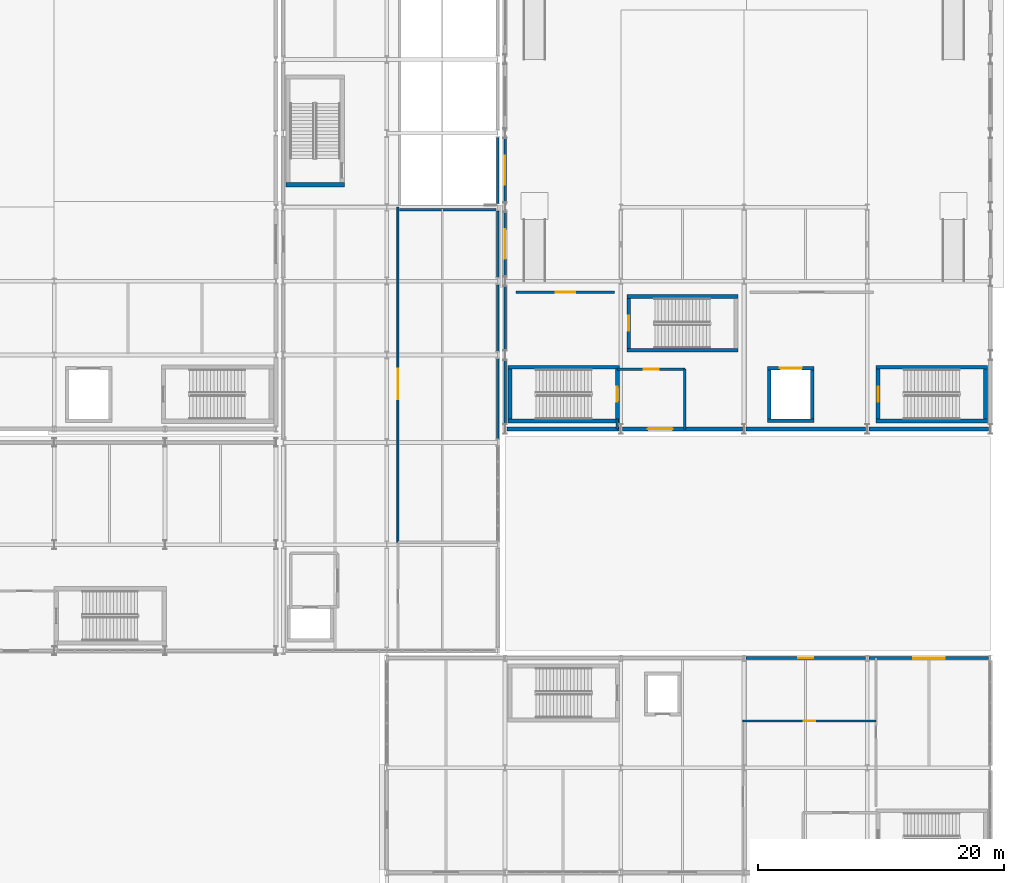
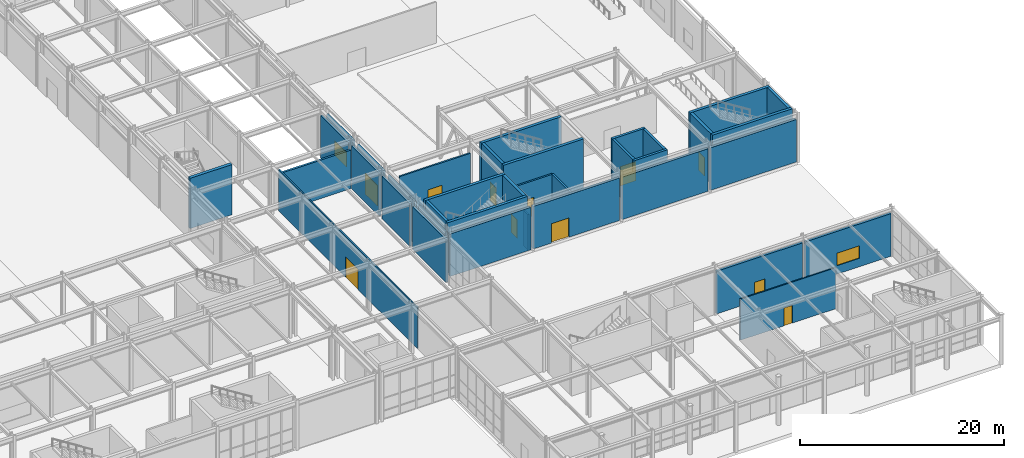
# One storey, part 125 of 146: 37 walls, 11 doors, 2 windows, 13 openings.
"""IFC4 building model written with IfcOpenShell, lengths in metres."""

from ifc_helpers import new_model, si_unit, direction, frame, frame_2d, origin, place, context, subcontext, project, spatial, rectangle, extrude, material, layer, layer_set, type_object, element, fill, save


model = new_model("IFC4")

# Units and contexts
model_context = context("Model", 3, precision=1e-05, world=origin(), true_north=direction((0.0, 1.0)))
body_context = subcontext(model_context, "Body", "Model", "MODEL_VIEW")
ifc_project = project(units=[si_unit("LENGTHUNIT", "METRE"), si_unit("AREAUNIT", "SQUARE_METRE"), si_unit("VOLUMEUNIT", "CUBIC_METRE"), si_unit("PLANEANGLEUNIT", "RADIAN"), si_unit("MASSUNIT", "GRAM", prefix="KILO")], contexts=[model_context])

# Site, building, storey
site_placement = place(None, origin())
site = spatial("IfcSite", under=ifc_project, at=site_placement, CompositionType="ELEMENT")
building_placement = place(site_placement, origin())
building = spatial("IfcBuilding", under=site, at=building_placement, Name="Kaldris Quays Convention Centre", CompositionType="ELEMENT")
storey_placement = place(building_placement, origin())
storey = spatial("IfcBuildingStorey", under=building, at=storey_placement, Name="L00", CompositionType="ELEMENT", Elevation=0.0)

# Wall
ifc_material_1 = material(Name="Concrete C35/45", Category="concrete")
ifc_layer_1 = layer(ifc_material_1, 0.31201171875)
ifc_layer_set_1 = layer_set([ifc_layer_1], Name="Concrete C35/45")
wall_type_1 = type_object("IfcWallType", Name="EXTERIOR WALL EW02", PredefinedType="STANDARD", material=ifc_layer_set_1)
wall_1_placement = place(storey_placement, frame((164.74609375, 56.0, 0.0), z_axis=(0.0, 0.0, 1.0), x_axis=(1.0, 0.0, 0.0)))
element("IfcWall", 1, at=wall_1_placement, inside=storey, type_object=wall_type_1, Name="L00 Exterior Wall EW02 92", PredefinedType="STANDARD", context=body_context, shape_type="SweptSolid", body=[
    extrude(rectangle(XDim=9.10791015625, YDim=0.31201171875, at=frame_2d((4.553955078125, 0.0))), origin(), (0.0, 0.0, 1.0), 5.077880859375),
])

# Wall, opening, door
wall_2_placement = place(storey_placement, frame((174.14599609375, 56.0, 0.0), z_axis=(0.0, 0.0, 1.0), x_axis=(1.0, 0.0, 0.0)))
wall_2 = element("IfcWall", 2, at=wall_2_placement, inside=storey, type_object=wall_type_1, Name="L00 Exterior Wall EW02 94", PredefinedType="STANDARD", context=body_context, shape_type="SweptSolid", body=[
    extrude(rectangle(XDim=9.7080078125, YDim=0.31201171875, at=frame_2d((4.85400390625, 0.0))), origin(), (0.0, 0.0, 1.0), 5.077880859375),
])
opening_1_placement = place(wall_2_placement, frame((2.052001953125, 0.0, 0.0)))
opening_1 = element("IfcOpeningElement", 3, at=opening_1_placement, cuts=wall_2, Name="Opening ED01", PredefinedType="OPENING", context=body_context, shape_type="SweptSolid", body=[
    extrude(rectangle(XDim=2.0, YDim=2.300048828125, at=frame_2d((1.0, 1.14990234375))), frame((0.0, 0.166015625, 0.0), z_axis=(0.0, -1.0, 0.0), x_axis=(1.0, 0.0, 0.0)), (0.0, 0.0, 1.0), 0.33203125),
])
ifc_material_2 = material(Name="Thermally broken anodized aluminium and laminated safety glass", Category="aluminium")
door_type_1 = type_object("IfcDoorType", Name="EXTERIOR DOOR ED01", OperationType="DOUBLE_DOOR_SINGLE_SWING", PredefinedType="DOOR", material=ifc_material_2)
door_1_placement = place(opening_1_placement, frame((2.0, 0.0, 0.0), z_axis=(0.0, 0.0, 1.0), x_axis=(-1.0, 0.0, 0.0)))
door_1 = element("IfcDoor", 4, at=door_1_placement, inside=storey, type_object=door_type_1, Name="L00 Stair ST08 Final Exterior Exit Door ED01", OperationType="DOUBLE_DOOR_SINGLE_SWING", OverallHeight=2.300048828125, OverallWidth=2.0, PredefinedType="DOOR", context=body_context, shape_type="SweptSolid", body=[
    extrude(rectangle(XDim=2.0, YDim=2.300048828125, at=frame_2d((1.0, 1.14990234375))), frame((0.0, 0.02490234375, 0.0), z_axis=(0.0, -1.0, 0.0), x_axis=(1.0, 0.0, 0.0)), (0.0, 0.0, 1.0), 0.050048828125),
])
fill(opening_1, door_1)

# Walls
for number, where, z_axis, x_axis, name in (
    (5, (184.14599609375, 56.0, 0.0), (0.0, 0.0, 1.0), (1.0, 0.0, 0.0), "L00 Exterior Wall EW02 96"),
    (6, (194.14599609375, 56.0, 0.0), (0.0, 0.0, 1.0), (1.0, 0.0, 0.0), "L00 Exterior Wall EW02 98"),
):
    element("IfcWall", number, at=place(storey_placement, frame(where, z_axis=z_axis, x_axis=x_axis)), inside=storey, type_object=wall_type_1, Name=name, PredefinedType="STANDARD", context=body_context, shape_type="SweptSolid", body=[
        extrude(rectangle(XDim=9.7080078125, YDim=0.31201171875, at=frame_2d((4.85400390625, 0.0))), origin(), (0.0, 0.0, 1.0), 5.077880859375),
    ])

# Wall, opening, door
ifc_material_3 = material(Name="Basalt stone ashlar cladding", Category="masonry")
ifc_layer_2 = layer(ifc_material_3, 0.241943359375)
ifc_layer_set_2 = layer_set([ifc_layer_2], Name="Basalt stone ashlar cladding")
wall_type_2 = type_object("IfcWallType", Name="EXTERIOR WALL EW05", PredefinedType="STANDARD", material=ifc_layer_set_2)
wall_3_placement = place(storey_placement, frame((184.14599609375, 37.39990234375, 0.0), z_axis=(0.0, 0.0, 1.0), x_axis=(1.0, 0.0, 0.0)))
wall_3 = element("IfcWall", 7, at=wall_3_placement, inside=storey, type_object=wall_type_2, Name="L00 Exterior Wall EW05 366", PredefinedType="STANDARD", context=body_context, shape_type="SweptSolid", body=[
    extrude(rectangle(XDim=9.7080078125, YDim=0.241943359375, at=frame_2d((4.85400390625, 0.0))), origin(), (0.0, 0.0, 1.0), 5.10009765625),
])
opening_2_placement = place(wall_3_placement, frame((4.243896484375, 0.0, 0.0)))
opening_2 = element("IfcOpeningElement", 8, at=opening_2_placement, cuts=wall_3, Name="Opening ED06", PredefinedType="OPENING", context=body_context, shape_type="SweptSolid", body=[
    extrude(rectangle(XDim=1.219970703125, YDim=2.280029296875, at=frame_2d((0.60986328125, 1.14013671875))), frame((0.0, 0.130859375, 0.0), z_axis=(0.0, -1.0, 0.0), x_axis=(1.0, 0.0, 0.0)), (0.0, 0.0, 1.0), 0.261962890625),
])
door_type_2 = type_object("IfcDoorType", Name="EXTERIOR DOOR ED06", OperationType="NOTDEFINED", PredefinedType="DOOR", material=ifc_material_2)
door_2_placement = place(opening_2_placement, origin())
door_2 = element("IfcDoor", 9, at=door_2_placement, inside=storey, type_object=door_type_2, Name="L00 Exterior Exit Door ED06 39", OperationType="SINGLE_SWING_RIGHT", OverallHeight=2.280029296875, OverallWidth=1.219970703125, PredefinedType="DOOR", context=body_context, shape_type="SweptSolid", body=[
    extrude(rectangle(XDim=1.219970703125, YDim=2.280029296875, at=frame_2d((0.60986328125, 1.14013671875))), frame((0.0, 0.02490234375, 0.0), z_axis=(0.0, -1.0, 0.0), x_axis=(1.0, 0.0, 0.0)), (0.0, 0.0, 1.0), 0.050048828125),
])
fill(opening_2, door_2)

# Wall, opening, window
wall_4_placement = place(storey_placement, frame((194.14599609375, 37.39990234375, 0.0), z_axis=(0.0, 0.0, 1.0), x_axis=(1.0, 0.0, 0.0)))
wall_4 = element("IfcWall", 10, at=wall_4_placement, inside=storey, type_object=wall_type_2, Name="L00 Exterior Wall EW05 367", PredefinedType="STANDARD", context=body_context, shape_type="SweptSolid", body=[
    extrude(rectangle(XDim=9.7080078125, YDim=0.241943359375, at=frame_2d((4.85400390625, 0.0))), origin(), (0.0, 0.0, 1.0), 5.10009765625),
])
opening_3_placement = place(wall_4_placement, frame((3.5791015625, 0.0, 1.0)))
opening_3 = element("IfcOpeningElement", 11, at=opening_3_placement, cuts=wall_4, Name="Opening WN19", PredefinedType="OPENING", context=body_context, shape_type="SweptSolid", body=[
    extrude(rectangle(XDim=2.550048828125, YDim=1.5, at=frame_2d((1.27490234375, 0.75))), frame((0.0, 0.130859375, 0.0), z_axis=(0.0, -1.0, 0.0), x_axis=(1.0, 0.0, 0.0)), (0.0, 0.0, 1.0), 0.261962890625),
])
ifc_material_4 = material(Name="Triple low-E insulated glazing", Category="glass")
window_type_1 = type_object("IfcWindowType", Name="TRIPLE GLAZED WINDOW WN19", PartitioningType="SINGLE_PANEL", PredefinedType="WINDOW", material=ifc_material_4)
window_1_placement = place(opening_3_placement, origin())
window_1 = element("IfcWindow", 12, at=window_1_placement, inside=storey, type_object=window_type_1, Name="L00 Exterior Window WN19 96", OverallHeight=1.5, OverallWidth=2.550048828125, PartitioningType="SINGLE_PANEL", PredefinedType="WINDOW", context=body_context, shape_type="SweptSolid", body=[
    extrude(rectangle(XDim=2.550048828125, YDim=1.5, at=frame_2d((1.27490234375, 0.75))), frame((0.0, 0.030029296875, 0.0), z_axis=(0.0, -1.0, 0.0), x_axis=(1.0, 0.0, 0.0)), (0.0, 0.0, 1.0), 0.06005859375),
])
fill(opening_3, window_1)

# Walls
ifc_material_5 = material(Name="Anodized aluminium insulated cassette", Category="aluminium")
ifc_layer_3 = layer(ifc_material_5, 0.221923828125)
ifc_layer_set_3 = layer_set([ifc_layer_3], Name="Anodized aluminium insulated cassette")
wall_type_3 = type_object("IfcWallType", Name="EXTERIOR WALL EW06", PredefinedType="STANDARD", material=ifc_layer_set_3)
wall_5_placement = place(storey_placement, frame((164.0, 55.196044921875, 0.0), z_axis=(0.0, 0.0, 1.0), x_axis=(0.0, 1.0, 0.0)))
element("IfcWall", 13, at=wall_5_placement, inside=storey, type_object=wall_type_3, Name="L00 Exterior Wall EW06 269", PredefinedType="STANDARD", context=body_context, shape_type="SweptSolid", body=[
    extrude(rectangle(XDim=6.508056640625, YDim=0.221923828125, at=frame_2d((3.25390625, 0.0))), origin(), (0.0, 0.0, 1.0), 5.097900390625),
])
for number, where, z_axis, x_axis, name in (
    (14, (164.0, 62.2958984375, 0.0), (0.0, 0.0, 1.0), (0.0, 1.0, 0.0), "L00 Exterior Wall EW06 271"),
    (15, (164.0, 68.2958984375, 0.0), (0.0, 0.0, 1.0), (0.0, 1.0, 0.0), "L00 Exterior Wall EW06 273"),
    (16, (164.0, 74.2958984375, 0.0), (0.0, 0.0, 1.0), (0.0, 1.0, 0.0), "L00 Exterior Wall EW06 275"),
):
    element("IfcWall", number, at=place(storey_placement, frame(where, z_axis=z_axis, x_axis=x_axis)), inside=storey, type_object=wall_type_3, Name=name, PredefinedType="STANDARD", context=body_context, shape_type="SweptSolid", body=[
        extrude(rectangle(XDim=5.408203125, YDim=0.221923828125, at=frame_2d((2.7041015625, 0.0))), origin(), (0.0, 0.0, 1.0), 5.097900390625),
    ])
ifc_layer_4 = layer(ifc_material_5, 0.201904296875)
ifc_layer_set_4 = layer_set([ifc_layer_4], Name="Anodized aluminium insulated cassette")
wall_type_4 = type_object("IfcWallType", Name="EXTERIOR WALL EW07", PredefinedType="STANDARD", material=ifc_layer_set_4)
for number, where, z_axis, x_axis, name in (
    (17, (164.60009765625, 56.39599609375, 0.0), (0.0, 0.0, 1.0), (0.0, 1.0, 0.0), "L00 Exterior Wall EW07 101"),
    (18, (164.60009765625, 62.39599609375, 0.0), (0.0, 0.0, 1.0), (0.0, 1.0, 0.0), "L00 Exterior Wall EW07 103"),
):
    element("IfcWall", number, at=place(storey_placement, frame(where, z_axis=z_axis, x_axis=x_axis)), inside=storey, type_object=wall_type_4, Name=name, PredefinedType="STANDARD", context=body_context, shape_type="SweptSolid", body=[
        extrude(rectangle(XDim=5.2080078125, YDim=0.201904296875, at=frame_2d((2.60400390625, 0.0))), origin(), (0.0, 0.0, 1.0), 5.10009765625),
    ])

# Wall, opening, door
wall_6_placement = place(storey_placement, frame((164.60009765625, 68.39599609375, 0.0), z_axis=(0.0, 0.0, 1.0), x_axis=(0.0, 1.0, 0.0)))
wall_6 = element("IfcWall", 19, at=wall_6_placement, inside=storey, type_object=wall_type_4, Name="L00 Exterior Wall EW07 105", PredefinedType="STANDARD", context=body_context, shape_type="SweptSolid", body=[
    extrude(rectangle(XDim=5.2080078125, YDim=0.201904296875, at=frame_2d((2.60400390625, 0.0))), origin(), (0.0, 0.0, 1.0), 5.10009765625),
])
opening_4_placement = place(wall_6_placement, frame((1.404052734375, 0.0, 0.0)))
opening_4 = element("IfcOpeningElement", 20, at=opening_4_placement, cuts=wall_6, Name="Opening ED03", PredefinedType="OPENING", context=body_context, shape_type="SweptSolid", body=[
    extrude(rectangle(XDim=2.39990234375, YDim=2.5, at=frame_2d((1.199951171875, 1.25))), frame((0.0, 0.11083984375, 0.0), z_axis=(0.0, -1.0, 0.0), x_axis=(1.0, 0.0, 0.0)), (0.0, 0.0, 1.0), 0.221923828125),
])
door_type_3 = type_object("IfcDoorType", Name="EXTERIOR DOOR ED03", OperationType="DOUBLE_DOOR_SINGLE_SWING", PredefinedType="DOOR", material=ifc_material_2)
door_3_placement = place(opening_4_placement, origin())
door_3 = element("IfcDoor", 21, at=door_3_placement, inside=storey, type_object=door_type_3, Name="L00 Exterior Exit Door ED03 26", OperationType="DOUBLE_DOOR_SINGLE_SWING", OverallHeight=2.5, OverallWidth=2.39990234375, PredefinedType="DOOR", context=body_context, shape_type="SweptSolid", body=[
    extrude(rectangle(XDim=2.39990234375, YDim=2.5, at=frame_2d((1.199951171875, 1.25))), frame((0.0, 0.02490234375, 0.0), z_axis=(0.0, -1.0, 0.0), x_axis=(1.0, 0.0, 0.0)), (0.0, 0.0, 1.0), 0.050048828125),
])
fill(opening_4, door_3)

# Wall, opening, window
wall_7_placement = place(storey_placement, frame((164.60009765625, 74.39599609375, 0.0), z_axis=(0.0, 0.0, 1.0), x_axis=(0.0, 1.0, 0.0)))
wall_7 = element("IfcWall", 22, at=wall_7_placement, inside=storey, type_object=wall_type_4, Name="L00 Exterior Wall EW07 107", PredefinedType="STANDARD", context=body_context, shape_type="SweptSolid", body=[
    extrude(rectangle(XDim=5.2080078125, YDim=0.201904296875, at=frame_2d((2.60400390625, 0.0))), origin(), (0.0, 0.0, 1.0), 5.10009765625),
])
opening_5_placement = place(wall_7_placement, frame((1.428955078125, 0.0, 1.0)))
opening_5 = element("IfcOpeningElement", 23, at=opening_5_placement, cuts=wall_7, Name="Opening WN31", PredefinedType="OPENING", context=body_context, shape_type="SweptSolid", body=[
    extrude(rectangle(XDim=2.35009765625, YDim=1.75, at=frame_2d((1.175048828125, 0.875))), frame((0.0, 0.11083984375, 0.0), z_axis=(0.0, -1.0, 0.0), x_axis=(1.0, 0.0, 0.0)), (0.0, 0.0, 1.0), 0.221923828125),
])
window_type_2 = type_object("IfcWindowType", Name="TRIPLE GLAZED WINDOW WN31", PartitioningType="SINGLE_PANEL", PredefinedType="WINDOW", material=ifc_material_4)
window_2_placement = place(opening_5_placement, origin())
window_2 = element("IfcWindow", 24, at=window_2_placement, inside=storey, type_object=window_type_2, Name="L00 Exterior Window WN31 29", OverallHeight=1.75, OverallWidth=2.35009765625, PartitioningType="SINGLE_PANEL", PredefinedType="WINDOW", context=body_context, shape_type="SweptSolid", body=[
    extrude(rectangle(XDim=2.35009765625, YDim=1.75, at=frame_2d((1.175048828125, 0.875))), frame((0.0, 0.030029296875, 0.0), z_axis=(0.0, -1.0, 0.0), x_axis=(1.0, 0.0, 0.0)), (0.0, 0.0, 1.0), 0.06005859375),
])
fill(opening_5, window_2)

# Wall, opening, door
ifc_layer_5 = layer(ifc_material_1, 0.199951171875)
ifc_layer_set_5 = layer_set([ifc_layer_5], Name="Concrete C35/45")
wall_type_5 = type_object("IfcWallType", Name="INTERIOR WALL IW01", PredefinedType="PARTITIONING", material=ifc_layer_set_5)
wall_8_placement = place(storey_placement, frame((173.7099609375, 60.85009765625, 0.0), z_axis=(0.0, 0.0, 1.0), x_axis=(1.0, 0.0, 0.0)))
wall_8 = element("IfcWall", 25, at=wall_8_placement, inside=storey, type_object=wall_type_5, Name="L00 Protected Exit Lobby ST08 Fire Wall", PredefinedType="PARTITIONING", context=body_context, shape_type="SweptSolid", body=[
    extrude(rectangle(XDim=5.489990234375, YDim=0.199951171875, at=frame_2d((2.7451171875, 0.0))), origin(), (0.0, 0.0, 1.0), 4.199951171875),
])
opening_6_placement = place(wall_8_placement, frame((2.14501953125, 0.0, 0.0)))
opening_6 = element("IfcOpeningElement", 26, at=opening_6_placement, cuts=wall_8, Name="Opening ID03", PredefinedType="OPENING", context=body_context, shape_type="SweptSolid", body=[
    extrude(rectangle(XDim=1.199951171875, YDim=2.199951171875, at=frame_2d((0.60009765625, 1.10009765625))), frame((0.0, 0.10986328125, 0.0), z_axis=(0.0, -1.0, 0.0), x_axis=(1.0, 0.0, 0.0)), (0.0, 0.0, 1.0), 0.219970703125),
])
ifc_material_6 = material(Name="Steel S355J2 fire-resisting door", Category="steel")
door_type_4 = type_object("IfcDoorType", Name="INTERIOR DOOR ID03", OperationType="NOTDEFINED", PredefinedType="DOOR", material=ifc_material_6)
door_4_placement = place(opening_6_placement, frame((1.199951171875, 0.0, 0.0), z_axis=(0.0, 0.0, 1.0), x_axis=(-1.0, 0.0, 0.0)))
door_4 = element("IfcDoor", 27, at=door_4_placement, inside=storey, type_object=door_type_4, Name="L00 Protected Exit Lobby ST08 Entry Fire Door", OperationType="SINGLE_SWING_RIGHT", OverallHeight=2.199951171875, OverallWidth=1.199951171875, PredefinedType="DOOR", context=body_context, shape_type="SweptSolid", body=[
    extrude(rectangle(XDim=1.199951171875, YDim=2.199951171875, at=frame_2d((0.60009765625, 1.10009765625))), frame((0.0, 0.02490234375, 0.0), z_axis=(0.0, -1.0, 0.0), x_axis=(1.0, 0.0, 0.0)), (0.0, 0.0, 1.0), 0.050048828125),
])
fill(opening_6, door_4)

# Walls
wall_9_placement = place(storey_placement, frame((179.199951171875, 56.0, 0.0), z_axis=(0.0, 0.0, 1.0), x_axis=(0.0, 1.0, 0.0)))
element("IfcWall", 28, at=wall_9_placement, inside=storey, type_object=wall_type_5, Name="L00 Protected Exit Lobby ST08 Side Wall 1", PredefinedType="PARTITIONING", context=body_context, shape_type="SweptSolid", body=[
    extrude(rectangle(XDim=4.85009765625, YDim=0.199951171875, at=frame_2d((2.425048828125, 0.0))), origin(), (0.0, 0.0, 1.0), 4.199951171875),
])
wall_10_placement = place(storey_placement, frame((173.7099609375, 56.0, 0.0), z_axis=(0.0, 0.0, 1.0), x_axis=(0.0, 1.0, 0.0)))
element("IfcWall", 29, at=wall_10_placement, inside=storey, type_object=wall_type_5, Name="L00 Protected Exit Lobby ST08 Side Wall 2", PredefinedType="PARTITIONING", context=body_context, shape_type="SweptSolid", body=[
    extrude(rectangle(XDim=0.800048828125, YDim=0.199951171875, at=frame_2d((0.39990234375, 0.0))), origin(), (0.0, 0.0, 1.0), 4.199951171875),
])

# Wall, opening, door
ifc_material_7 = material(Name="Acoustic gypsum stud partition", Category="gypsum")
ifc_layer_6 = layer(ifc_material_7, 0.177978515625)
ifc_layer_set_6 = layer_set([ifc_layer_6], Name="Acoustic gypsum stud partition")
wall_type_6 = type_object("IfcWallType", Name="INTERIOR WALL IW02", PredefinedType="PARTITIONING", material=ifc_layer_set_6)
wall_11_placement = place(storey_placement, frame((165.5, 67.10009765625, 0.0), z_axis=(0.0, 0.0, 1.0), x_axis=(1.0, 0.0, 0.0)))
wall_11 = element("IfcWall", 30, at=wall_11_placement, inside=storey, type_object=wall_type_6, Name="L00 Interior Wall IW02 25", PredefinedType="PARTITIONING", context=body_context, shape_type="SweptSolid", body=[
    extrude(rectangle(XDim=8.0, YDim=0.177978515625, at=frame_2d((4.0, 0.0))), origin(), (0.0, 0.0, 1.0), 4.89990234375),
])
opening_7_placement = place(wall_11_placement, frame((3.199951171875, 0.0, 0.0)))
opening_7 = element("IfcOpeningElement", 31, at=opening_7_placement, cuts=wall_11, Name="Opening ID08", PredefinedType="OPENING", context=body_context, shape_type="SweptSolid", body=[
    extrude(rectangle(XDim=1.60009765625, YDim=2.199951171875, at=frame_2d((0.800048828125, 1.10009765625))), frame((0.0, 0.09912109375, 0.0), z_axis=(0.0, -1.0, 0.0), x_axis=(1.0, 0.0, 0.0)), (0.0, 0.0, 1.0), 0.197998046875),
])
ifc_material_8 = material(Name="Timber acoustic double door", Category="wood")
door_type_5 = type_object("IfcDoorType", Name="INTERIOR DOOR ID08", OperationType="DOUBLE_DOOR_SINGLE_SWING", PredefinedType="DOOR", material=ifc_material_8)
door_5_placement = place(opening_7_placement, frame((1.60009765625, 0.0, 0.0), z_axis=(0.0, 0.0, 1.0), x_axis=(-1.0, 0.0, 0.0)))
door_5 = element("IfcDoor", 32, at=door_5_placement, inside=storey, type_object=door_type_5, Name="L00 Interior Door ID08 18", OperationType="DOUBLE_DOOR_SINGLE_SWING", OverallHeight=2.199951171875, OverallWidth=1.60009765625, PredefinedType="DOOR", context=body_context, shape_type="SweptSolid", body=[
    extrude(rectangle(XDim=1.60009765625, YDim=2.199951171875, at=frame_2d((0.800048828125, 1.10009765625))), frame((0.0, 0.02490234375, 0.0), z_axis=(0.0, -1.0, 0.0), x_axis=(1.0, 0.0, 0.0)), (0.0, 0.0, 1.0), 0.050048828125),
])
fill(opening_7, door_5)

ifc_layer_7 = layer(ifc_material_7, 0.14794921875)
ifc_layer_set_7 = layer_set([ifc_layer_7], Name="Acoustic gypsum stud partition")
wall_type_7 = type_object("IfcWallType", Name="INTERIOR WALL IW04", PredefinedType="PARTITIONING", material=ifc_layer_set_7)
wall_12_placement = place(storey_placement, frame((155.89990234375, 46.800048828125, 0.0), z_axis=(0.0, 0.0, 1.0), x_axis=(0.0, 1.0, 0.0)))
wall_12 = element("IfcWall", 33, at=wall_12_placement, inside=storey, type_object=wall_type_7, Name="L00 Interior Wall IW04 33", PredefinedType="PARTITIONING", context=body_context, shape_type="SweptSolid", body=[
    extrude(rectangle(XDim=27.199951171875, YDim=0.14794921875, at=frame_2d((13.60009765625, 0.0))), origin(), (0.0, 0.0, 1.0), 4.89990234375),
])
opening_8_placement = place(wall_12_placement, frame((11.60009765625, 0.0, 0.0)))
opening_8 = element("IfcOpeningElement", 34, at=opening_8_placement, cuts=wall_12, Name="Opening ID16", PredefinedType="OPENING", context=body_context, shape_type="SweptSolid", body=[
    extrude(rectangle(XDim=2.5, YDim=2.419921875, at=frame_2d((1.25, 1.2099609375))), frame((0.0, 0.083984375, 0.0), z_axis=(0.0, -1.0, 0.0), x_axis=(1.0, 0.0, 0.0)), (0.0, 0.0, 1.0), 0.16796875),
])
ifc_material_9 = material(Name="Grand Ballroom acoustic double door", Category="wood")
door_type_6 = type_object("IfcDoorType", Name="INTERIOR DOOR ID16", OperationType="DOUBLE_DOOR_SINGLE_SWING", PredefinedType="DOOR", material=ifc_material_9)
door_6_placement = place(opening_8_placement, origin())
door_6 = element("IfcDoor", 35, at=door_6_placement, inside=storey, type_object=door_type_6, Name="L00 Interior Door ID16 24", OperationType="DOUBLE_DOOR_SINGLE_SWING", OverallHeight=2.419921875, OverallWidth=2.5, PredefinedType="DOOR", context=body_context, shape_type="SweptSolid", body=[
    extrude(rectangle(XDim=2.5, YDim=2.419921875, at=frame_2d((1.25, 1.2099609375))), frame((0.0, 0.02490234375, 0.0), z_axis=(0.0, -1.0, 0.0), x_axis=(1.0, 0.0, 0.0)), (0.0, 0.0, 1.0), 0.050048828125),
])
fill(opening_8, door_6)

wall_13_placement = place(storey_placement, frame((183.89990234375, 32.300048828125, 0.0), z_axis=(0.0, 0.0, 1.0), x_axis=(1.0, 0.0, 0.0)))
wall_13 = element("IfcWall", 36, at=wall_13_placement, inside=storey, type_object=wall_type_7, Name="L00 Interior Wall IW04 36", PredefinedType="PARTITIONING", context=body_context, shape_type="SweptSolid", body=[
    extrude(rectangle(XDim=10.800048828125, YDim=0.14794921875, at=frame_2d((5.39990234375, 0.0))), origin(), (0.0, 0.0, 1.0), 4.89990234375),
])
opening_9_placement = place(wall_13_placement, frame((4.929931640625, 0.0, 0.0)))
opening_9 = element("IfcOpeningElement", 37, at=opening_9_placement, cuts=wall_13, Name="Opening ID01", PredefinedType="OPENING", context=body_context, shape_type="SweptSolid", body=[
    extrude(rectangle(XDim=0.93994140625, YDim=2.1201171875, at=frame_2d((0.469970703125, 1.06005859375))), frame((0.0, 0.083984375, 0.0), z_axis=(0.0, -1.0, 0.0), x_axis=(1.0, 0.0, 0.0)), (0.0, 0.0, 1.0), 0.16796875),
])
ifc_material_10 = material(Name="Timber acoustic leaf in steel frame", Category="steel")
door_type_7 = type_object("IfcDoorType", Name="INTERIOR DOOR ID01", OperationType="NOTDEFINED", PredefinedType="DOOR", material=ifc_material_10)
door_7_placement = place(opening_9_placement, frame((0.93994140625, 0.0, 0.0), z_axis=(0.0, 0.0, 1.0), x_axis=(-1.0, 0.0, 0.0)))
door_7 = element("IfcDoor", 38, at=door_7_placement, inside=storey, type_object=door_type_7, Name="L00 Interior Door ID01 27", OperationType="SINGLE_SWING_LEFT", OverallHeight=2.1201171875, OverallWidth=0.93994140625, PredefinedType="DOOR", context=body_context, shape_type="SweptSolid", body=[
    extrude(rectangle(XDim=0.93994140625, YDim=2.1201171875, at=frame_2d((0.469970703125, 1.06005859375))), frame((0.0, 0.02490234375, 0.0), z_axis=(0.0, -1.0, 0.0), x_axis=(1.0, 0.0, 0.0)), (0.0, 0.0, 1.0), 0.050048828125),
])
fill(opening_9, door_7)

# Walls
ifc_layer_8 = layer(ifc_material_1, 0.22412109375)
ifc_layer_set_8 = layer_set([ifc_layer_8], Name="Concrete C35/45")
wall_type_8 = type_object("IfcWallType", Name="INTERIOR WALL IW08", PredefinedType="PARTITIONING", material=ifc_layer_set_8)
wall_14_placement = place(storey_placement, frame((156.050048828125, 73.800048828125, 0.0), z_axis=(0.0, 0.0, 1.0), x_axis=(1.0, 0.0, 0.0)))
element("IfcWall", 39, at=wall_14_placement, inside=storey, type_object=wall_type_8, Name="L00 Vehicle Ramp Enclosure Wall VR01-WALL-S", PredefinedType="PARTITIONING", context=body_context, shape_type="SweptSolid", body=[
    extrude(rectangle(XDim=7.800048828125, YDim=0.22412109375, at=frame_2d((3.89990234375, 0.0))), origin(), (0.0, 0.0, 1.0), 4.60009765625),
])
ifc_material_11 = material(Name="Concrete C40/50", Category="concrete")
ifc_layer_9 = layer(ifc_material_11, 0.35009765625)
ifc_layer_set_9 = layer_set([ifc_layer_9], Name="Concrete C40/50")
wall_type_9 = type_object("IfcWallType", Name="STRUCTURAL WALL SW01", PredefinedType="SHEAR", material=ifc_layer_set_9)
wall_15_placement = place(storey_placement, frame((146.800048828125, 75.824951171875, 0.0), z_axis=(0.0, 0.0, 1.0), x_axis=(1.0, 0.0, 0.0)))
element("IfcWall", 40, at=wall_15_placement, inside=storey, type_object=wall_type_9, Name="L00 Core Shear Wall CORE-ST14-L00-S", PredefinedType="SHEAR", context=body_context, shape_type="SweptSolid", body=[
    extrude(rectangle(XDim=4.75, YDim=0.35009765625, at=frame_2d((2.375, 0.0))), origin(), (0.0, 0.0, 1.0), 6.0),
])
ifc_layer_10 = layer(ifc_material_11, 0.320068359375)
ifc_layer_set_10 = layer_set([ifc_layer_10], Name="Concrete C40/50")
wall_type_10 = type_object("IfcWallType", Name="STRUCTURAL WALL SW02", PredefinedType="SHEAR", material=ifc_layer_set_10)
for number, where, z_axis, x_axis, name in (
    (41, (164.830078125, 56.639892578125, 0.0), (0.0, 0.0, 1.0), (1.0, 0.0, 0.0), "L00 Core Shear Wall CORE-ST08-L00-S"),
    (42, (164.830078125, 61.010009765625, 0.0), (0.0, 0.0, 1.0), (1.0, 0.0, 0.0), "L00 Core Shear Wall CORE-ST08-L00-N"),
):
    element("IfcWall", number, at=place(storey_placement, frame(where, z_axis=z_axis, x_axis=x_axis)), inside=storey, type_object=wall_type_10, Name=name, PredefinedType="SHEAR", context=body_context, shape_type="SweptSolid", body=[
        extrude(rectangle(XDim=9.0400390625, YDim=0.320068359375, at=frame_2d((4.52001953125, 0.0))), origin(), (0.0, 0.0, 1.0), 6.0),
    ])
wall_16_placement = place(storey_placement, frame((164.989990234375, 56.800048828125, 0.0), z_axis=(0.0, 0.0, 1.0), x_axis=(0.0, 1.0, 0.0)))
element("IfcWall", 43, at=wall_16_placement, inside=storey, type_object=wall_type_10, Name="L00 Core Shear Wall CORE-ST08-L00-W", PredefinedType="SHEAR", context=body_context, shape_type="SweptSolid", body=[
    extrude(rectangle(XDim=4.050048828125, YDim=0.320068359375, at=frame_2d((2.02490234375, 0.0))), origin(), (0.0, 0.0, 1.0), 6.0),
])

# Wall, opening, door
wall_17_placement = place(storey_placement, frame((173.7099609375, 56.800048828125, 0.0), z_axis=(0.0, 0.0, 1.0), x_axis=(0.0, 1.0, 0.0)))
wall_17 = element("IfcWall", 44, at=wall_17_placement, inside=storey, type_object=wall_type_10, Name="L00 Core Shear Wall CORE-ST08-L00-E", PredefinedType="SHEAR", context=body_context, shape_type="SweptSolid", body=[
    extrude(rectangle(XDim=4.050048828125, YDim=0.320068359375, at=frame_2d((2.02490234375, 0.0))), origin(), (0.0, 0.0, 1.0), 6.0),
])
opening_10_placement = place(wall_17_placement, frame((1.425048828125, 0.0, 0.0)))
opening_10 = element("IfcOpeningElement", 45, at=opening_10_placement, cuts=wall_17, Name="Opening ID03", PredefinedType="OPENING", context=body_context, shape_type="SweptSolid", body=[
    extrude(rectangle(XDim=1.199951171875, YDim=2.199951171875, at=frame_2d((0.60009765625, 1.10009765625))), frame((0.0, 0.169921875, 0.0), z_axis=(0.0, -1.0, 0.0), x_axis=(1.0, 0.0, 0.0)), (0.0, 0.0, 1.0), 0.340087890625),
])
door_8_placement = place(opening_10_placement, frame((1.199951171875, 0.0, 0.0), z_axis=(0.0, 0.0, 1.0), x_axis=(-1.0, 0.0, 0.0)))
door_8 = element("IfcDoor", 46, at=door_8_placement, inside=storey, type_object=door_type_4, Name="L00 Escape Stair ST08 Fire Door", OperationType="SINGLE_SWING_RIGHT", OverallHeight=2.199951171875, OverallWidth=1.199951171875, PredefinedType="DOOR", context=body_context, shape_type="SweptSolid", body=[
    extrude(rectangle(XDim=1.199951171875, YDim=2.199951171875, at=frame_2d((0.60009765625, 1.10009765625))), frame((0.0, 0.02490234375, 0.0), z_axis=(0.0, -1.0, 0.0), x_axis=(1.0, 0.0, 0.0)), (0.0, 0.0, 1.0), 0.050048828125),
])
fill(opening_10, door_8)

# Walls
for number, where, z_axis, x_axis, name in (
    (47, (194.72998046875, 56.639892578125, 0.0), (0.0, 0.0, 1.0), (1.0, 0.0, 0.0), "L00 Core Shear Wall CORE-ST09-L00-S"),
    (48, (194.72998046875, 61.010009765625, 0.0), (0.0, 0.0, 1.0), (1.0, 0.0, 0.0), "L00 Core Shear Wall CORE-ST09-L00-N"),
):
    element("IfcWall", number, at=place(storey_placement, frame(where, z_axis=z_axis, x_axis=x_axis)), inside=storey, type_object=wall_type_10, Name=name, PredefinedType="SHEAR", context=body_context, shape_type="SweptSolid", body=[
        extrude(rectangle(XDim=9.0400390625, YDim=0.320068359375, at=frame_2d((4.52001953125, 0.0))), origin(), (0.0, 0.0, 1.0), 6.0),
    ])

# Wall, opening, door
wall_18_placement = place(storey_placement, frame((194.889892578125, 56.800048828125, 0.0), z_axis=(0.0, 0.0, 1.0), x_axis=(0.0, 1.0, 0.0)))
wall_18 = element("IfcWall", 49, at=wall_18_placement, inside=storey, type_object=wall_type_10, Name="L00 Core Shear Wall CORE-ST09-L00-W", PredefinedType="SHEAR", context=body_context, shape_type="SweptSolid", body=[
    extrude(rectangle(XDim=4.050048828125, YDim=0.320068359375, at=frame_2d((2.02490234375, 0.0))), origin(), (0.0, 0.0, 1.0), 6.0),
])
opening_11_placement = place(wall_18_placement, frame((1.425048828125, 0.0, 0.0)))
opening_11 = element("IfcOpeningElement", 50, at=opening_11_placement, cuts=wall_18, Name="Opening ID03", PredefinedType="OPENING", context=body_context, shape_type="SweptSolid", body=[
    extrude(rectangle(XDim=1.199951171875, YDim=2.199951171875, at=frame_2d((0.60009765625, 1.10009765625))), frame((0.0, 0.169921875, 0.0), z_axis=(0.0, -1.0, 0.0), x_axis=(1.0, 0.0, 0.0)), (0.0, 0.0, 1.0), 0.340087890625),
])
door_9_placement = place(opening_11_placement, origin())
door_9 = element("IfcDoor", 51, at=door_9_placement, inside=storey, type_object=door_type_4, Name="L00 Escape Stair ST09 Fire Door", OperationType="SINGLE_SWING_LEFT", OverallHeight=2.199951171875, OverallWidth=1.199951171875, PredefinedType="DOOR", context=body_context, shape_type="SweptSolid", body=[
    extrude(rectangle(XDim=1.199951171875, YDim=2.199951171875, at=frame_2d((0.60009765625, 1.10009765625))), frame((0.0, 0.02490234375, 0.0), z_axis=(0.0, -1.0, 0.0), x_axis=(1.0, 0.0, 0.0)), (0.0, 0.0, 1.0), 0.050048828125),
])
fill(opening_11, door_9)

# Walls
wall_19_placement = place(storey_placement, frame((203.610107421875, 56.800048828125, 0.0), z_axis=(0.0, 0.0, 1.0), x_axis=(0.0, 1.0, 0.0)))
element("IfcWall", 52, at=wall_19_placement, inside=storey, type_object=wall_type_10, Name="L00 Core Shear Wall CORE-ST09-L00-E", PredefinedType="SHEAR", context=body_context, shape_type="SweptSolid", body=[
    extrude(rectangle(XDim=4.050048828125, YDim=0.320068359375, at=frame_2d((2.02490234375, 0.0))), origin(), (0.0, 0.0, 1.0), 6.0),
])
for number, where, z_axis, x_axis, name in (
    (53, (174.47998046875, 62.389892578125, 0.0), (0.0, 0.0, 1.0), (1.0, 0.0, 0.0), "L00 Core Shear Wall CORE-ST10-L00-S"),
    (54, (174.47998046875, 66.760009765625, 0.0), (0.0, 0.0, 1.0), (1.0, 0.0, 0.0), "L00 Core Shear Wall CORE-ST10-L00-N"),
):
    element("IfcWall", number, at=place(storey_placement, frame(where, z_axis=z_axis, x_axis=x_axis)), inside=storey, type_object=wall_type_10, Name=name, PredefinedType="SHEAR", context=body_context, shape_type="SweptSolid", body=[
        extrude(rectangle(XDim=9.0400390625, YDim=0.320068359375, at=frame_2d((4.52001953125, 0.0))), origin(), (0.0, 0.0, 1.0), 6.0),
    ])

# Wall, opening, door
wall_20_placement = place(storey_placement, frame((174.639892578125, 62.550048828125, 0.0), z_axis=(0.0, 0.0, 1.0), x_axis=(0.0, 1.0, 0.0)))
wall_20 = element("IfcWall", 55, at=wall_20_placement, inside=storey, type_object=wall_type_10, Name="L00 Core Shear Wall CORE-ST10-L00-W", PredefinedType="SHEAR", context=body_context, shape_type="SweptSolid", body=[
    extrude(rectangle(XDim=4.050048828125, YDim=0.320068359375, at=frame_2d((2.02490234375, 0.0))), origin(), (0.0, 0.0, 1.0), 6.0),
])
opening_12_placement = place(wall_20_placement, frame((1.425048828125, 0.0, 0.0)))
opening_12 = element("IfcOpeningElement", 56, at=opening_12_placement, cuts=wall_20, Name="Opening ID03", PredefinedType="OPENING", context=body_context, shape_type="SweptSolid", body=[
    extrude(rectangle(XDim=1.199951171875, YDim=2.199951171875, at=frame_2d((0.60009765625, 1.10009765625))), frame((0.0, 0.169921875, 0.0), z_axis=(0.0, -1.0, 0.0), x_axis=(1.0, 0.0, 0.0)), (0.0, 0.0, 1.0), 0.340087890625),
])
door_10_placement = place(opening_12_placement, origin())
door_10 = element("IfcDoor", 57, at=door_10_placement, inside=storey, type_object=door_type_4, Name="L00 Escape Stair ST10 Fire Door", OperationType="SINGLE_SWING_RIGHT", OverallHeight=2.199951171875, OverallWidth=1.199951171875, PredefinedType="DOOR", context=body_context, shape_type="SweptSolid", body=[
    extrude(rectangle(XDim=1.199951171875, YDim=2.199951171875, at=frame_2d((0.60009765625, 1.10009765625))), frame((0.0, 0.02490234375, 0.0), z_axis=(0.0, -1.0, 0.0), x_axis=(1.0, 0.0, 0.0)), (0.0, 0.0, 1.0), 0.050048828125),
])
fill(opening_12, door_10)

# Wall
ifc_layer_11 = layer(ifc_material_11, 0.280029296875)
ifc_layer_set_11 = layer_set([ifc_layer_11], Name="Concrete C40/50")
wall_type_11 = type_object("IfcWallType", Name="STRUCTURAL WALL SW03", PredefinedType="SHEAR", material=ifc_layer_set_11)
wall_21_placement = place(storey_placement, frame((185.919921875, 56.659912109375, 0.0), z_axis=(0.0, 0.0, 1.0), x_axis=(1.0, 0.0, 0.0)))
element("IfcWall", 58, at=wall_21_placement, inside=storey, type_object=wall_type_11, Name="L00 Core Shear Wall LSHAFT-GL02-L00-S", PredefinedType="SHEAR", context=body_context, shape_type="SweptSolid", body=[
    extrude(rectangle(XDim=3.760009765625, YDim=0.280029296875, at=frame_2d((1.8798828125, 0.0))), origin(), (0.0, 0.0, 1.0), 6.0),
])

# Wall, opening, door
wall_22_placement = place(storey_placement, frame((185.919921875, 60.93994140625, 0.0), z_axis=(0.0, 0.0, 1.0), x_axis=(1.0, 0.0, 0.0)))
wall_22 = element("IfcWall", 59, at=wall_22_placement, inside=storey, type_object=wall_type_11, Name="L00 Core Shear Wall LSHAFT-GL02-L00-N", PredefinedType="SHEAR", context=body_context, shape_type="SweptSolid", body=[
    extrude(rectangle(XDim=3.760009765625, YDim=0.280029296875, at=frame_2d((1.8798828125, 0.0))), origin(), (0.0, 0.0, 1.0), 6.0),
])
opening_13_placement = place(wall_22_placement, frame((0.97998046875, 0.0, 0.0)))
opening_13 = element("IfcOpeningElement", 60, at=opening_13_placement, cuts=wall_22, Name="Opening LD02", PredefinedType="OPENING", context=body_context, shape_type="SweptSolid", body=[
    extrude(rectangle(XDim=1.800048828125, YDim=2.300048828125, at=frame_2d((0.89990234375, 1.14990234375))), frame((0.0, 0.14990234375, 0.0), z_axis=(0.0, -1.0, 0.0), x_axis=(1.0, 0.0, 0.0)), (0.0, 0.0, 1.0), 0.300048828125),
])
ifc_material_12 = material(Name="Stainless steel 1.4301 freight lift landing door", Category="steel")
door_type_8 = type_object("IfcDoorType", Name="INTERIOR DOOR LD02", OperationType="DOUBLE_DOOR_SLIDING", PredefinedType="DOOR", material=ifc_material_12)
door_11_placement = place(opening_13_placement, origin())
door_11 = element("IfcDoor", 61, at=door_11_placement, inside=storey, type_object=door_type_8, Name="L00 GL02 Sliding Lift Landing Door", OperationType="DOUBLE_DOOR_SLIDING", OverallHeight=2.300048828125, OverallWidth=1.800048828125, PredefinedType="DOOR", context=body_context, shape_type="SweptSolid", body=[
    extrude(rectangle(XDim=1.800048828125, YDim=2.300048828125, at=frame_2d((0.89990234375, 1.14990234375))), frame((0.0, 0.02490234375, 0.0), z_axis=(0.0, -1.0, 0.0), x_axis=(1.0, 0.0, 0.0)), (0.0, 0.0, 1.0), 0.050048828125),
])
fill(opening_13, door_11)

# Walls
for number, where, z_axis, x_axis, name in (
    (62, (186.06005859375, 56.800048828125, 0.0), (0.0, 0.0, 1.0), (0.0, 1.0, 0.0), "L00 Core Shear Wall LSHAFT-GL02-L00-W"),
    (63, (189.5400390625, 56.800048828125, 0.0), (0.0, 0.0, 1.0), (0.0, 1.0, 0.0), "L00 Core Shear Wall LSHAFT-GL02-L00-E"),
):
    element("IfcWall", number, at=place(storey_placement, frame(where, z_axis=z_axis, x_axis=x_axis)), inside=storey, type_object=wall_type_11, Name=name, PredefinedType="SHEAR", context=body_context, shape_type="SweptSolid", body=[
        extrude(rectangle(XDim=4.0, YDim=0.280029296875, at=frame_2d((2.0, 0.0))), origin(), (0.0, 0.0, 1.0), 6.0),
    ])

save(model, "model.ifc")
